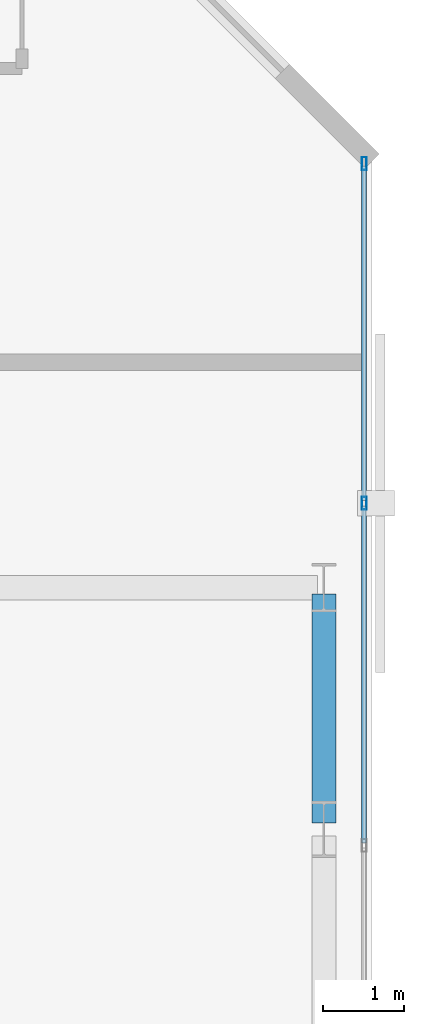
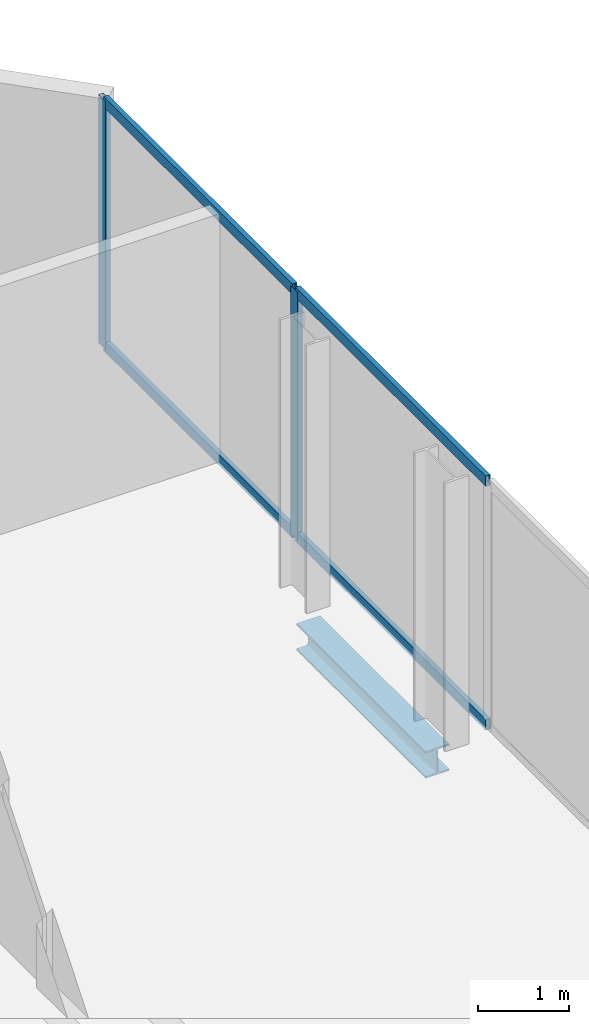
# One storey, part 26 of 32: 6 members, 1 beam, 1 element without a shape of its own.
"""IFC4 building model written with IfcOpenShell, lengths in metres."""

from ifc_helpers import new_model, si_unit, direction, frame, origin, origin_2d, place, context, subcontext, project, spatial, hollow_rectangle, i_section, extrude, material, layer, layer_set, material_profile, profile_set, type_object, element, aggregate, save


model = new_model("IFC4")

# Units and contexts
model_context = context("Model", 3, precision=1e-05, world=origin(), true_north=direction((0.0, 1.0)))
body_context = subcontext(model_context, "Body", "Model", "MODEL_VIEW")
ifc_project = project(units=[si_unit("LENGTHUNIT", "METRE"), si_unit("AREAUNIT", "SQUARE_METRE"), si_unit("VOLUMEUNIT", "CUBIC_METRE"), si_unit("PLANEANGLEUNIT", "RADIAN"), si_unit("MASSUNIT", "GRAM", prefix="KILO")], contexts=[model_context])

# Site, building, storey
site_placement = place(None, origin())
site = spatial("IfcSite", under=ifc_project, at=site_placement, CompositionType="ELEMENT")
building_placement = place(site_placement, origin())
building = spatial("IfcBuilding", under=site, at=building_placement, Name="Catumbela Crestline Tower", CompositionType="ELEMENT")
storey_placement = place(building_placement, frame((0.0, 0.0, 122.4)))
storey = spatial("IfcBuildingStorey", under=building, at=storey_placement, Name="L31", CompositionType="ELEMENT", Elevation=122.4)

# Curtain wall, members
ifc_material_1 = material(Name="Aluminium alloy AW-6060-T66", Category="aluminium")
ifc_layer = layer(ifc_material_1, 0.18, Name="Aluminium alloy AW-6060-T66")
ifc_layer_set = layer_set([ifc_layer], Name="Aluminium alloy AW-6060-T66")
curtain_wall_type = type_object("IfcCurtainWallType", Name="CWU-Z2", PredefinedType="USERDEFINED", material=ifc_layer_set)
curtain_wall_placement = place(storey_placement, origin())
curtain_wall = element("IfcCurtainWall", 1, at=curtain_wall_placement, inside=storey, type_object=curtain_wall_type, Name="L31 Unitised Curtain Wall CW-L31-E5S1", ObjectType="UNITISED", PredefinedType="USERDEFINED")
ifc_material_profile_1 = material_profile(ifc_material_1, hollow_rectangle(XDim=0.06, YDim=0.16, WallThickness=0.004, at=origin_2d()), Name="ALU 160x60x4")
ifc_profile_set_1 = profile_set([ifc_material_profile_1], Name="Aluminium alloy AW-6060-T66")
member_type_1 = type_object("IfcMemberType", Name="MUL-160X60", PredefinedType="MULLION", material=ifc_profile_set_1)
member_1_placement = place(storey_placement, frame((50.9, 40.25, 0.0), z_axis=(0.0, 0.0, 1.0), x_axis=(-1.0, 0.0, 0.0)))
member_1 = element("IfcMember", 2, at=member_1_placement, type_object=member_type_1, Name="CWU-Z2 mullion 4", PredefinedType="MULLION", context=body_context, shape_type="SweptSolid", body=[
    extrude(hollow_rectangle(XDim=0.06, YDim=0.16, WallThickness=0.004, at=origin_2d()), origin(), (0.0, 0.0, 1.0), 3.33),
])
member_2_placement = place(storey_placement, frame((50.9, 44.4675, 0.0), z_axis=(0.0, 0.0, 1.0), x_axis=(-1.0, 0.0, 0.0)))
member_2 = element("IfcMember", 3, at=member_2_placement, type_object=member_type_1, Name="CWU-Z2 mullion 5", PredefinedType="MULLION", context=body_context, shape_type="SweptSolid", body=[
    extrude(hollow_rectangle(XDim=0.06, YDim=0.16, WallThickness=0.004, at=origin_2d()), origin(), (0.0, 0.0, 1.0), 3.33),
])

# Beam
ifc_material_2 = material(Name="Structural steel S355J2", Category="steel")
ifc_material_profile_2 = material_profile(ifc_material_2, i_section(OverallWidth=0.3, OverallDepth=0.36, WebThickness=0.0125, FlangeThickness=0.0225, FilletRadius=0.027, at=origin_2d()), Name="HEB 360")
ifc_profile_set_2 = profile_set([ifc_material_profile_2], Name="Structural steel S355J2")
beam_type = type_object("IfcBeamType", Name="BS-HEB360", PredefinedType="SPANDREL", material=ifc_profile_set_2)
beam_placement = place(storey_placement, frame((50.4, 36.28, -0.44), z_axis=(0.0, 1.0, 0.0), x_axis=(-1.0, 0.0, 0.0)))
element("IfcBeam", 4, at=beam_placement, inside=storey, type_object=beam_type, Name="L31 Spandrel SP-L31-SN36", PredefinedType="SPANDREL", context=body_context, shape_type="SweptSolid", body=[
    extrude(i_section(OverallWidth=0.3, OverallDepth=0.36, WebThickness=0.0125, FlangeThickness=0.0225, FilletRadius=0.027, at=origin_2d()), origin(), (0.0, 0.0, 1.0), 2.84),
])

# Member
ifc_material_profile_3 = material_profile(ifc_material_1, hollow_rectangle(XDim=0.06, YDim=0.14, WallThickness=0.004, at=origin_2d()), Name="ALU 140x60x4")
ifc_profile_set_3 = profile_set([ifc_material_profile_3], Name="Aluminium alloy AW-6060-T66")
member_type_2 = type_object("IfcMemberType", Name="TRN-140X60", PredefinedType="USERDEFINED", material=ifc_profile_set_3)
member_3_placement = place(storey_placement, frame((50.9, 36.0325, 0.03), z_axis=(0.0, 1.0, 0.0), x_axis=(-1.0, 0.0, 0.0)))
member_3 = element("IfcMember", 5, at=member_3_placement, type_object=member_type_2, Name="CWU-Z2 transom 3.1", ObjectType="TRANSOM", PredefinedType="USERDEFINED", context=body_context, shape_type="SweptSolid", body=[
    extrude(hollow_rectangle(XDim=0.06, YDim=0.14, WallThickness=0.004, at=origin_2d()), origin(), (0.0, 0.0, 1.0), 4.185),
])

member_4_placement = place(storey_placement, frame((50.9, 36.0325, 3.3), z_axis=(0.0, 1.0, 0.0), x_axis=(-1.0, 0.0, 0.0)))
member_4 = element("IfcMember", 6, at=member_4_placement, type_object=member_type_2, Name="CWU-Z2 transom 3.2", ObjectType="TRANSOM", PredefinedType="USERDEFINED", context=body_context, shape_type="SweptSolid", body=[
    extrude(hollow_rectangle(XDim=0.06, YDim=0.14, WallThickness=0.004, at=origin_2d()), origin(), (0.0, 0.0, 1.0), 4.185),
])

member_5_placement = place(storey_placement, frame((50.9, 40.2825, 0.03), z_axis=(0.0, 1.0, 0.0), x_axis=(-1.0, 0.0, 0.0)))
member_5 = element("IfcMember", 7, at=member_5_placement, type_object=member_type_2, Name="CWU-Z2 transom 4.1", ObjectType="TRANSOM", PredefinedType="USERDEFINED", context=body_context, shape_type="SweptSolid", body=[
    extrude(hollow_rectangle(XDim=0.06, YDim=0.14, WallThickness=0.004, at=origin_2d()), origin(), (0.0, 0.0, 1.0), 4.1525),
])

member_6_placement = place(storey_placement, frame((50.9, 40.2825, 3.3), z_axis=(0.0, 1.0, 0.0), x_axis=(-1.0, 0.0, 0.0)))
member_6 = element("IfcMember", 8, at=member_6_placement, type_object=member_type_2, Name="CWU-Z2 transom 4.2", ObjectType="TRANSOM", PredefinedType="USERDEFINED", context=body_context, shape_type="SweptSolid", body=[
    extrude(hollow_rectangle(XDim=0.06, YDim=0.14, WallThickness=0.004, at=origin_2d()), origin(), (0.0, 0.0, 1.0), 4.1525),
])

aggregate(curtain_wall, [member_1, member_2, member_3, member_4, member_5, member_6])

save(model, "model.ifc")
